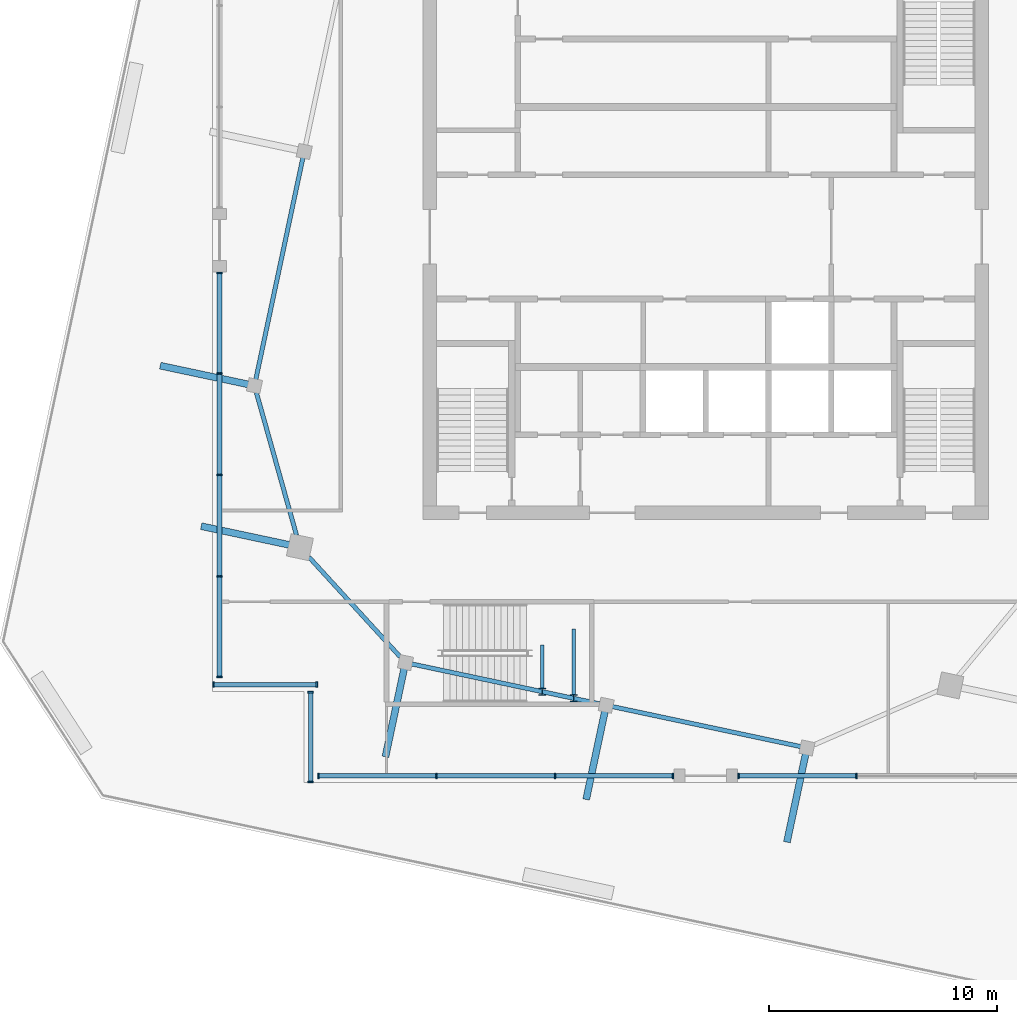
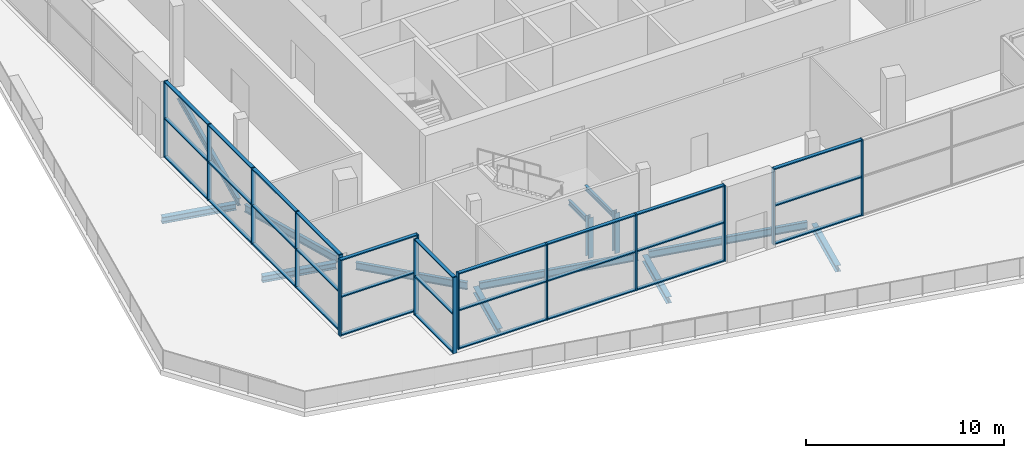
# One storey, part 2 of 14: 47 members, 12 beams, 5 elements without a shape of their own.
"""IFC4 building model written with IfcOpenShell, lengths in metres."""

import ifcopenshell
import ifcopenshell.guid

model = None  # the IFC model being written
_history = None  # IfcOwnerHistory: only IFC2X3 demands one
_inside = {}  # id of a spatial element -> (the spatial element, [elements in it])
_under = {}  # id of a project, library or spatial element -> (it, [spatial elements below it])
_declared = {}  # id of a project -> (the project, [libraries it declares])
_typed = {}  # id of a type object -> (the type object, [elements of that type])
_made_of = {}  # id of a material, layer set ... -> (it, [elements and type objects made of it])


def new_model(schema):
    """Start an empty IFC model of exactly this schema.

    Asked for "IFC4X3", IfcOpenShell would pick the latest addendum, in which some entities
    have other attributes; the version numbers below select the first issue.
    IFC2X3 requires an IfcOwnerHistory on every rooted entity: one is made here for all.
    """
    global model, _history
    if schema == "IFC4X3":
        model = ifcopenshell.file(schema_version=(4, 3, 0, 0))
    else:
        model = ifcopenshell.file(schema=schema)
    _inside.clear()
    _under.clear()
    _declared.clear()
    _typed.clear()
    _made_of.clear()
    _history = None
    if model.schema == "IFC2X3":
        org = make("IfcOrganization", Name="unknown")
        user = make(
            "IfcPersonAndOrganization",
            ThePerson=make("IfcPerson", FamilyName="unknown"),
            TheOrganization=org,
        )
        app = make(
            "IfcApplication",
            ApplicationDeveloper=org,
            Version="unknown",
            ApplicationFullName="unknown",
            ApplicationIdentifier="unknown",
        )
        _history = make(
            "IfcOwnerHistory",
            OwningUser=user,
            OwningApplication=app,
            ChangeAction="ADDED",
            CreationDate=0,
        )
    return model


def make(cls, **values):
    """One entity of the class cls with the attributes given. An attribute that is None is left unset."""
    return model.create_entity(
        cls, **{name: value for name, value in values.items() if value is not None}
    )


def rooted(cls, **values):
    """An entity with a GlobalId (a new one), such as an element, a storey or a relation."""
    return make(cls, GlobalId=ifcopenshell.guid.new(), OwnerHistory=_history, **values)


def si_unit(unit_type, name, prefix=None):
    """IfcSIUnit, for example si_unit("LENGTHUNIT", "METRE", prefix="MILLI")."""
    return make("IfcSIUnit", UnitType=unit_type, Prefix=prefix, Name=name)


def assignment(units):
    """IfcUnitAssignment: the units of a project."""
    return None if units is None else make("IfcUnitAssignment", Units=units)


def point(xyz):
    """IfcCartesianPoint."""
    return None if xyz is None else make("IfcCartesianPoint", Coordinates=xyz)


def direction(xyz):
    """IfcDirection."""
    return None if xyz is None else make("IfcDirection", DirectionRatios=xyz)


def frame(location, z_axis=None, x_axis=None):
    """IfcAxis2Placement3D, a coordinate frame: its origin and axes. An axis left out is left unset."""
    return make(
        "IfcAxis2Placement3D",
        Location=point(location),
        Axis=direction(z_axis),
        RefDirection=direction(x_axis),
    )


def frame_2d(location, x_axis=None):
    """IfcAxis2Placement2D, a coordinate frame in the plane: its origin and x axis."""
    return make(
        "IfcAxis2Placement2D", Location=point(location), RefDirection=direction(x_axis)
    )


def origin():
    """The frame at (0, 0, 0) with its axes left unset."""
    return frame((0.0, 0.0, 0.0))


def origin_2d():
    """The frame at (0, 0) in the plane with its x axis left unset."""
    return frame_2d((0.0, 0.0))


def place(relative_to, where):
    """IfcLocalPlacement: puts the frame where relative to a parent placement (None: the world)."""
    return make(
        "IfcLocalPlacement", PlacementRelTo=relative_to, RelativePlacement=where
    )


def context(
    kind, dimensions, precision=None, world=None, true_north=None, identifier=None
):
    """IfcGeometricRepresentationContext, for example the 3D "Model" context."""
    return make(
        "IfcGeometricRepresentationContext",
        ContextIdentifier=identifier,
        ContextType=kind,
        CoordinateSpaceDimension=dimensions,
        Precision=precision,
        WorldCoordinateSystem=world,
        TrueNorth=true_north,
    )


def subcontext(parent, identifier, kind, view, scale=None):
    """IfcGeometricRepresentationSubContext, for example "Body" below "Model"."""
    return make(
        "IfcGeometricRepresentationSubContext",
        ContextIdentifier=identifier,
        ContextType=kind,
        ParentContext=parent,
        TargetScale=scale,
        TargetView=view,
    )


def project(units=None, contexts=None):
    """IfcProject with its units and contexts."""
    return rooted(
        "IfcProject",
        Name="project",
        RepresentationContexts=contexts,
        UnitsInContext=assignment(units),
    )


def spatial(cls, under=None, at=None, **own):
    """A site, building, storey or space (cls), placed at a placement, below another one or the project."""
    s = rooted(cls, ObjectPlacement=at, **own)
    if under is not None:
        _under.setdefault(under.id(), (under, []))[1].append(s)
    return s


def profile(cls, at=None, kind="AREA", **sizes):
    """A parametric profile (cls). Its sizes go by their IFC names, for example OverallWidth=200.0."""
    return make(cls, ProfileType=kind, Position=at, **sizes)


def rectangle(**sizes):
    """IfcRectangleProfileDef."""
    return profile("IfcRectangleProfileDef", **sizes)


def i_section(**sizes):
    """IfcIShapeProfileDef."""
    return profile("IfcIShapeProfileDef", **sizes)


def extrude(swept, where, along, depth):
    """IfcExtrudedAreaSolid: the profile swept, set in the frame where, extruded along a direction by depth."""
    return make(
        "IfcExtrudedAreaSolid",
        SweptArea=swept,
        Position=where,
        ExtrudedDirection=direction(along),
        Depth=depth,
    )


def shape(context_of_items, identifier, shape_type, items):
    """IfcShapeRepresentation: the items that make up one representation, for example the "Body"."""
    return make(
        "IfcShapeRepresentation",
        ContextOfItems=context_of_items,
        RepresentationIdentifier=identifier,
        RepresentationType=shape_type,
        Items=items,
    )


def material(Name=None, Category=None):
    """IfcMaterial."""
    return make("IfcMaterial", Name=Name, Category=Category)


def material_profile(
    of_material, cross_section, Name=None, Category=None, Priority=None
):
    """IfcMaterialProfile: a cross section and its material."""
    return make(
        "IfcMaterialProfile",
        Name=Name,
        Material=of_material,
        Profile=cross_section,
        Priority=Priority,
        Category=Category,
    )


def profile_set(profiles, Name=None, composite=None):
    """IfcMaterialProfileSet."""
    return make(
        "IfcMaterialProfileSet",
        Name=Name,
        MaterialProfiles=profiles,
        CompositeProfile=composite,
    )


def made_of(thing, what):
    """Note that an element or type object is made of a material, layer set ...; save() writes the relation."""
    if what is not None:
        _made_of.setdefault(what.id(), (what, []))[1].append(thing)
    return thing


def type_object(cls, material=None, **own):
    """A type object (cls), such as IfcWallType, which elements share."""
    return made_of(rooted(cls, **own), material)


def element(
    cls,
    number,
    at=None,
    inside=None,
    cuts=None,
    type_object=None,
    material=None,
    context=None,
    identifier="Body",
    shape_type=None,
    held_by="IfcProductDefinitionShape",
    body=None,
    shapes=None,
    **own,
):
    """One element of the class cls, such as IfcWall. Its Tag is "e" and its number.

    at: its placement. inside: the storey or other place that contains it. cuts: it is an
    opening in that element (IfcRelVoidsElement). A single representation is given by context,
    identifier, shape_type and body (its items); several are given by shapes. held_by: the class
    of the entity that holds the representations. save() writes the other relations.
    """
    e = rooted(cls, Tag="e%d" % number, ObjectPlacement=at, **own)
    if body is not None:
        shapes = [shape(context, identifier, shape_type, body)]
    if shapes is not None:
        e.Representation = make(held_by, Representations=shapes)
    if inside is not None:
        _inside.setdefault(inside.id(), (inside, []))[1].append(e)
    if cuts is not None:
        rooted(
            "IfcRelVoidsElement", RelatingBuildingElement=cuts, RelatedOpeningElement=e
        )
    if type_object is not None:
        _typed.setdefault(type_object.id(), (type_object, []))[1].append(e)
    return made_of(e, material)


def aggregate(whole, parts):
    """IfcRelAggregates: a whole, such as a stair, and the parts it consists of."""
    return rooted("IfcRelAggregates", RelatingObject=whole, RelatedObjects=parts)


def save(model, path):
    """Write the relations noted so far, then the file.

    IfcRelAggregates (storeys below a building ...), IfcRelContainedInSpatialStructure (elements
    in a storey), IfcRelDefinesByType, IfcRelAssociatesMaterial and IfcRelDeclares: one each for
    every whole, place, type object, material and project.
    """
    for whole, parts in _under.values():
        aggregate(whole, parts)
    for where, things in _inside.values():
        rooted(
            "IfcRelContainedInSpatialStructure",
            RelatedElements=things,
            RelatingStructure=where,
        )
    for kind, things in _typed.values():
        rooted("IfcRelDefinesByType", RelatedObjects=things, RelatingType=kind)
    for what, things in _made_of.values():
        rooted("IfcRelAssociatesMaterial", RelatedObjects=things, RelatingMaterial=what)
    for by, libraries in _declared.values():
        rooted("IfcRelDeclares", RelatingContext=by, RelatedDefinitions=libraries)
    model.write(path)


model = new_model("IFC4")

# Units and contexts
model_context = context("Model", 3, precision=1e-05, world=origin(), true_north=direction((0.0, 1.0)))
body_context = subcontext(model_context, "Body", "Model", "MODEL_VIEW")
ifc_project = project(units=[si_unit("LENGTHUNIT", "METRE"), si_unit("AREAUNIT", "SQUARE_METRE"), si_unit("VOLUMEUNIT", "CUBIC_METRE"), si_unit("PLANEANGLEUNIT", "RADIAN"), si_unit("MASSUNIT", "GRAM", prefix="KILO")], contexts=[model_context])

# Site, building, storey
site_placement = place(None, origin())
site = spatial("IfcSite", under=ifc_project, at=site_placement, CompositionType="ELEMENT")
building_placement = place(site_placement, origin())
building = spatial("IfcBuilding", under=site, at=building_placement, Name="Dilmun Exchange Tower", CompositionType="ELEMENT")
storey_placement = place(building_placement, frame((0.0, 0.0, 368.10009765625)))
storey = spatial("IfcBuildingStorey", under=building, at=storey_placement, Name="Crown L86", CompositionType="ELEMENT", Elevation=368.10009765625)

# Beams
ifc_material_1 = material(Name="Steel S355", Category="steel")
ifc_material_profile_1 = material_profile(ifc_material_1, i_section(OverallWidth=0.14990234375, OverallDepth=0.300048828125, WebThickness=0.007080078125, FlangeThickness=0.0107421875, FilletRadius=0.014892578125, at=origin_2d()), Name="IPE 300")
ifc_profile_set_1 = profile_set([ifc_material_profile_1], Name="Steel S355")
beam_type_1 = type_object("IfcBeamType", Name="Crown stair landing bracket IPE 300", PredefinedType="BEAM", material=ifc_profile_set_1)
beam_1_placement = place(storey_placement, frame((-7.17138671875, -19.794921875, 2.14990234375), z_axis=(0.0, 1.0, 0.0), x_axis=(-1.0, 0.0, 0.0)))
element("IfcBeam", 1, at=beam_1_placement, inside=storey, type_object=beam_type_1, Name="Crown stair landing bracket beam", PredefinedType="BEAM", context=body_context, shape_type="SweptSolid", body=[
    extrude(i_section(OverallWidth=0.14990234375, OverallDepth=0.300048828125, WebThickness=0.007080078125, FlangeThickness=0.0107421875, FilletRadius=0.014892578125, at=origin_2d()), origin(), (0.0, 0.0, 1.0), 1.89501953125),
])
beam_2_placement = place(storey_placement, frame((-5.793701171875, -20.08740234375, 2.14990234375), z_axis=(0.0, 1.0, 0.0), x_axis=(-1.0, 0.0, 0.0)))
element("IfcBeam", 2, at=beam_2_placement, inside=storey, type_object=beam_type_1, Name="Crown stair landing bracket beam", PredefinedType="BEAM", context=body_context, shape_type="SweptSolid", body=[
    extrude(i_section(OverallWidth=0.14990234375, OverallDepth=0.300048828125, WebThickness=0.007080078125, FlangeThickness=0.0107421875, FilletRadius=0.014892578125, at=origin_2d()), origin(), (0.0, 0.0, 1.0), 2.887451171875),
])

# Members
ifc_material_profile_2 = material_profile(ifc_material_1, i_section(OverallWidth=0.300048828125, OverallDepth=0.300048828125, WebThickness=0.010986328125, FlangeThickness=0.01904296875, FilletRadius=0.027099609375, at=origin_2d()), Name="HEB 300")
ifc_profile_set_2 = profile_set([ifc_material_profile_2], Name="Steel S355")
member_type_1 = type_object("IfcMemberType", Name="Crown stair landing post HEB 300", PredefinedType="USERDEFINED", material=ifc_profile_set_2)
for number, where, z_axis, x_axis, name in (
    (3, (-7.17138671875, -19.94482421875, 0.0), (0.0, 0.0, 1.0), (1.0, 0.0, 0.0), "Crown stair landing post 1"),
    (4, (-5.793701171875, -20.237548828125, 0.0), (0.0, 0.0, 1.0), (1.0, 0.0, 0.0), "Crown stair landing post 2"),
):
    element("IfcMember", number, at=place(storey_placement, frame(where, z_axis=z_axis, x_axis=x_axis)), inside=storey, type_object=member_type_1, Name=name, ObjectType="SUPPORT POST", PredefinedType="USERDEFINED", context=body_context, shape_type="SweptSolid", body=[
        extrude(i_section(OverallWidth=0.300048828125, OverallDepth=0.300048828125, WebThickness=0.010986328125, FlangeThickness=0.01904296875, FilletRadius=0.027099609375, at=origin_2d()), origin(), (0.0, 0.0, 1.0), 2.5),
    ])

# Curtain wall, members
ifc_material_2 = material(Name="Anodised aluminium and clear glass", Category="aluminium")
curtain_wall_type = type_object("IfcCurtainWallType", Name="Observation lounge glazing", PredefinedType="NOTDEFINED", material=ifc_material_2)
curtain_wall_1_placement = place(storey_placement, origin())
curtain_wall_1 = element("IfcCurtainWall", 5, at=curtain_wall_1_placement, inside=storey, type_object=curtain_wall_type, Name="Observation lounge glazing run OL6.E", PredefinedType="NOTDEFINED")
ifc_material_3 = material(Name="Anodised aluminium", Category="aluminium")
ifc_material_profile_3 = material_profile(ifc_material_3, rectangle(XDim=0.239990234375, YDim=0.070068359375, at=origin_2d()), Name="AL 70x240")
ifc_profile_set_3 = profile_set([ifc_material_profile_3], Name="Anodised aluminium")
member_type_2 = type_object("IfcMemberType", Name="Observation lounge glazing mullion 70 x 240", PredefinedType="MULLION", material=ifc_profile_set_3)
member_1_placement = place(storey_placement, frame((-21.323486328125, -1.58203125, 0.0), z_axis=(0.0, 0.0, 1.0), x_axis=(1.0, 0.0, 0.0)))
member_1 = element("IfcMember", 6, at=member_1_placement, type_object=member_type_2, Name="OL6.E mullion 1", PredefinedType="MULLION", context=body_context, shape_type="SweptSolid", body=[
    extrude(rectangle(XDim=0.239990234375, YDim=0.070068359375, at=origin_2d()), origin(), (0.0, 0.0, 1.0), 4.699951171875),
])
member_2_placement = place(storey_placement, frame((-21.323486328125, -5.993896484375, 0.0), z_axis=(0.0, 0.0, 1.0), x_axis=(1.0, 0.0, 0.0)))
member_2 = element("IfcMember", 7, at=member_2_placement, type_object=member_type_2, Name="OL6.E mullion 2", PredefinedType="MULLION", context=body_context, shape_type="SweptSolid", body=[
    extrude(rectangle(XDim=0.239990234375, YDim=0.070068359375, at=origin_2d()), origin(), (0.0, 0.0, 1.0), 4.699951171875),
])
member_3_placement = place(storey_placement, frame((-21.323486328125, -10.440673828125, 0.0), z_axis=(0.0, 0.0, 1.0), x_axis=(1.0, 0.0, 0.0)))
member_3 = element("IfcMember", 8, at=member_3_placement, type_object=member_type_2, Name="OL6.E mullion 3", PredefinedType="MULLION", context=body_context, shape_type="SweptSolid", body=[
    extrude(rectangle(XDim=0.239990234375, YDim=0.070068359375, at=origin_2d()), origin(), (0.0, 0.0, 1.0), 4.699951171875),
])
member_4_placement = place(storey_placement, frame((-21.323486328125, -14.887451171875, 0.0), z_axis=(0.0, 0.0, 1.0), x_axis=(1.0, 0.0, 0.0)))
member_4 = element("IfcMember", 9, at=member_4_placement, type_object=member_type_2, Name="OL6.E mullion 4", PredefinedType="MULLION", context=body_context, shape_type="SweptSolid", body=[
    extrude(rectangle(XDim=0.239990234375, YDim=0.070068359375, at=origin_2d()), origin(), (0.0, 0.0, 1.0), 4.699951171875),
])
member_5_placement = place(storey_placement, frame((-21.323486328125, -19.29931640625, 0.0), z_axis=(0.0, 0.0, 1.0), x_axis=(1.0, 0.0, 0.0)))
member_5 = element("IfcMember", 10, at=member_5_placement, type_object=member_type_2, Name="OL6.E mullion 5", PredefinedType="MULLION", context=body_context, shape_type="SweptSolid", body=[
    extrude(rectangle(XDim=0.239990234375, YDim=0.070068359375, at=origin_2d()), origin(), (0.0, 0.0, 1.0), 4.699951171875),
])

curtain_wall_2_placement = place(storey_placement, origin())
curtain_wall_2 = element("IfcCurtainWall", 11, at=curtain_wall_2_placement, inside=storey, type_object=curtain_wall_type, Name="Observation lounge glazing run OL7", PredefinedType="NOTDEFINED")
member_6_placement = place(storey_placement, frame((-21.58837890625, -19.63427734375, 0.0), z_axis=(0.0, 0.0, 1.0), x_axis=(0.0, 1.0, 0.0)))
member_6 = element("IfcMember", 12, at=member_6_placement, type_object=member_type_2, Name="OL7 mullion 1", PredefinedType="MULLION", context=body_context, shape_type="SweptSolid", body=[
    extrude(rectangle(XDim=0.239990234375, YDim=0.070068359375, at=origin_2d()), origin(), (0.0, 0.0, 1.0), 4.699951171875),
])
member_7_placement = place(storey_placement, frame((-17.05859375, -19.63427734375, 0.0), z_axis=(0.0, 0.0, 1.0), x_axis=(0.0, 1.0, 0.0)))
member_7 = element("IfcMember", 13, at=member_7_placement, type_object=member_type_2, Name="OL7 mullion 2", PredefinedType="MULLION", context=body_context, shape_type="SweptSolid", body=[
    extrude(rectangle(XDim=0.239990234375, YDim=0.070068359375, at=origin_2d()), origin(), (0.0, 0.0, 1.0), 4.699951171875),
])

curtain_wall_3_placement = place(storey_placement, origin())
curtain_wall_3 = element("IfcCurtainWall", 14, at=curtain_wall_3_placement, inside=storey, type_object=curtain_wall_type, Name="Observation lounge glazing run OL8", PredefinedType="NOTDEFINED")
member_8_placement = place(storey_placement, frame((-17.323486328125, -19.96923828125, 0.0), z_axis=(0.0, 0.0, 1.0), x_axis=(1.0, 0.0, 0.0)))
member_8 = element("IfcMember", 15, at=member_8_placement, type_object=member_type_2, Name="OL8 mullion 1", PredefinedType="MULLION", context=body_context, shape_type="SweptSolid", body=[
    extrude(rectangle(XDim=0.239990234375, YDim=0.070068359375, at=origin_2d()), origin(), (0.0, 0.0, 1.0), 4.699951171875),
])
member_9_placement = place(storey_placement, frame((-17.323486328125, -23.899169921875, 0.0), z_axis=(0.0, 0.0, 1.0), x_axis=(1.0, 0.0, 0.0)))
member_9 = element("IfcMember", 16, at=member_9_placement, type_object=member_type_2, Name="OL8 mullion 2", PredefinedType="MULLION", context=body_context, shape_type="SweptSolid", body=[
    extrude(rectangle(XDim=0.239990234375, YDim=0.070068359375, at=origin_2d()), origin(), (0.0, 0.0, 1.0), 4.699951171875),
])

curtain_wall_4_placement = place(storey_placement, origin())
curtain_wall_4 = element("IfcCurtainWall", 17, at=curtain_wall_4_placement, inside=storey, type_object=curtain_wall_type, Name="Observation lounge glazing run OL9.1", PredefinedType="NOTDEFINED")
member_10_placement = place(storey_placement, frame((-16.988525390625, -23.63427734375, 0.0), z_axis=(0.0, 0.0, 1.0), x_axis=(0.0, 1.0, 0.0)))
member_10 = element("IfcMember", 18, at=member_10_placement, type_object=member_type_2, Name="OL9.1 mullion 1", PredefinedType="MULLION", context=body_context, shape_type="SweptSolid", body=[
    extrude(rectangle(XDim=0.239990234375, YDim=0.070068359375, at=origin_2d()), origin(), (0.0, 0.0, 1.0), 4.699951171875),
])
member_11_placement = place(storey_placement, frame((-11.815673828125, -23.63427734375, 0.0), z_axis=(0.0, 0.0, 1.0), x_axis=(0.0, 1.0, 0.0)))
member_11 = element("IfcMember", 19, at=member_11_placement, type_object=member_type_2, Name="OL9.1 mullion 2", PredefinedType="MULLION", context=body_context, shape_type="SweptSolid", body=[
    extrude(rectangle(XDim=0.239990234375, YDim=0.070068359375, at=origin_2d()), origin(), (0.0, 0.0, 1.0), 4.699951171875),
])
member_12_placement = place(storey_placement, frame((-6.60791015625, -23.63427734375, 0.0), z_axis=(0.0, 0.0, 1.0), x_axis=(0.0, 1.0, 0.0)))
member_12 = element("IfcMember", 20, at=member_12_placement, type_object=member_type_2, Name="OL9.1 mullion 3", PredefinedType="MULLION", context=body_context, shape_type="SweptSolid", body=[
    extrude(rectangle(XDim=0.239990234375, YDim=0.070068359375, at=origin_2d()), origin(), (0.0, 0.0, 1.0), 4.699951171875),
])
member_13_placement = place(storey_placement, frame((-1.43505859375, -23.63427734375, 0.0), z_axis=(0.0, 0.0, 1.0), x_axis=(0.0, 1.0, 0.0)))
member_13 = element("IfcMember", 21, at=member_13_placement, type_object=member_type_2, Name="OL9.1 mullion 4", PredefinedType="MULLION", context=body_context, shape_type="SweptSolid", body=[
    extrude(rectangle(XDim=0.239990234375, YDim=0.070068359375, at=origin_2d()), origin(), (0.0, 0.0, 1.0), 4.699951171875),
])

curtain_wall_5_placement = place(storey_placement, origin())
curtain_wall_5 = element("IfcCurtainWall", 22, at=curtain_wall_5_placement, inside=storey, type_object=curtain_wall_type, Name="Observation lounge glazing run OL9.E", PredefinedType="NOTDEFINED")
member_14_placement = place(storey_placement, frame((1.43505859375, -23.63427734375, 0.0), z_axis=(0.0, 0.0, 1.0), x_axis=(0.0, 1.0, 0.0)))
member_14 = element("IfcMember", 23, at=member_14_placement, type_object=member_type_2, Name="OL9.E mullion 1", PredefinedType="MULLION", context=body_context, shape_type="SweptSolid", body=[
    extrude(rectangle(XDim=0.239990234375, YDim=0.070068359375, at=origin_2d()), origin(), (0.0, 0.0, 1.0), 4.699951171875),
])
member_15_placement = place(storey_placement, frame((6.60791015625, -23.63427734375, 0.0), z_axis=(0.0, 0.0, 1.0), x_axis=(0.0, 1.0, 0.0)))
member_15 = element("IfcMember", 24, at=member_15_placement, type_object=member_type_2, Name="OL9.E mullion 2", PredefinedType="MULLION", context=body_context, shape_type="SweptSolid", body=[
    extrude(rectangle(XDim=0.239990234375, YDim=0.070068359375, at=origin_2d()), origin(), (0.0, 0.0, 1.0), 4.699951171875),
])

# Member
ifc_material_profile_4 = material_profile(ifc_material_3, rectangle(XDim=0.199951171875, YDim=0.070068359375, at=origin_2d()), Name="AL 70x200")
ifc_profile_set_4 = profile_set([ifc_material_profile_4], Name="Anodised aluminium")
member_type_3 = type_object("IfcMemberType", Name="Observation lounge glazing transom 70 x 200", PredefinedType="USERDEFINED", material=ifc_profile_set_4)
member_16_placement = place(storey_placement, frame((-21.323486328125, -1.616943359375, 0.034912109375), z_axis=(0.0, -1.0, 0.0), x_axis=(1.0, 0.0, 0.0)))
member_16 = element("IfcMember", 25, at=member_16_placement, type_object=member_type_3, Name="OL6.E transom 1.1", ObjectType="TRANSOM", PredefinedType="USERDEFINED", context=body_context, shape_type="SweptSolid", body=[
    extrude(rectangle(XDim=0.199951171875, YDim=0.070068359375, at=origin_2d()), origin(), (0.0, 0.0, 1.0), 4.341796875),
])

member_17_placement = place(storey_placement, frame((-21.323486328125, -1.616943359375, 2.39990234375), z_axis=(0.0, -1.0, 0.0), x_axis=(1.0, 0.0, 0.0)))
member_17 = element("IfcMember", 26, at=member_17_placement, type_object=member_type_3, Name="OL6.E transom 1.2", ObjectType="TRANSOM", PredefinedType="USERDEFINED", context=body_context, shape_type="SweptSolid", body=[
    extrude(rectangle(XDim=0.199951171875, YDim=0.070068359375, at=origin_2d()), origin(), (0.0, 0.0, 1.0), 4.341796875),
])

member_18_placement = place(storey_placement, frame((-21.323486328125, -1.616943359375, 4.664794921875), z_axis=(0.0, -1.0, 0.0), x_axis=(1.0, 0.0, 0.0)))
member_18 = element("IfcMember", 27, at=member_18_placement, type_object=member_type_3, Name="OL6.E transom 1.3", ObjectType="TRANSOM", PredefinedType="USERDEFINED", context=body_context, shape_type="SweptSolid", body=[
    extrude(rectangle(XDim=0.199951171875, YDim=0.070068359375, at=origin_2d()), origin(), (0.0, 0.0, 1.0), 4.341796875),
])

member_19_placement = place(storey_placement, frame((-21.323486328125, -6.02880859375, 0.034912109375), z_axis=(0.0, -1.0, 0.0), x_axis=(1.0, 0.0, 0.0)))
member_19 = element("IfcMember", 28, at=member_19_placement, type_object=member_type_3, Name="OL6.E transom 2.1", ObjectType="TRANSOM", PredefinedType="USERDEFINED", context=body_context, shape_type="SweptSolid", body=[
    extrude(rectangle(XDim=0.199951171875, YDim=0.070068359375, at=origin_2d()), origin(), (0.0, 0.0, 1.0), 4.376708984375),
])

member_20_placement = place(storey_placement, frame((-21.323486328125, -6.02880859375, 2.39990234375), z_axis=(0.0, -1.0, 0.0), x_axis=(1.0, 0.0, 0.0)))
member_20 = element("IfcMember", 29, at=member_20_placement, type_object=member_type_3, Name="OL6.E transom 2.2", ObjectType="TRANSOM", PredefinedType="USERDEFINED", context=body_context, shape_type="SweptSolid", body=[
    extrude(rectangle(XDim=0.199951171875, YDim=0.070068359375, at=origin_2d()), origin(), (0.0, 0.0, 1.0), 4.376708984375),
])

member_21_placement = place(storey_placement, frame((-21.323486328125, -6.02880859375, 4.664794921875), z_axis=(0.0, -1.0, 0.0), x_axis=(1.0, 0.0, 0.0)))
member_21 = element("IfcMember", 30, at=member_21_placement, type_object=member_type_3, Name="OL6.E transom 2.3", ObjectType="TRANSOM", PredefinedType="USERDEFINED", context=body_context, shape_type="SweptSolid", body=[
    extrude(rectangle(XDim=0.199951171875, YDim=0.070068359375, at=origin_2d()), origin(), (0.0, 0.0, 1.0), 4.376708984375),
])

member_22_placement = place(storey_placement, frame((-21.323486328125, -10.4755859375, 0.034912109375), z_axis=(0.0, -1.0, 0.0), x_axis=(1.0, 0.0, 0.0)))
member_22 = element("IfcMember", 31, at=member_22_placement, type_object=member_type_3, Name="OL6.E transom 3.1", ObjectType="TRANSOM", PredefinedType="USERDEFINED", context=body_context, shape_type="SweptSolid", body=[
    extrude(rectangle(XDim=0.199951171875, YDim=0.070068359375, at=origin_2d()), origin(), (0.0, 0.0, 1.0), 4.376708984375),
])

member_23_placement = place(storey_placement, frame((-21.323486328125, -10.4755859375, 2.39990234375), z_axis=(0.0, -1.0, 0.0), x_axis=(1.0, 0.0, 0.0)))
member_23 = element("IfcMember", 32, at=member_23_placement, type_object=member_type_3, Name="OL6.E transom 3.2", ObjectType="TRANSOM", PredefinedType="USERDEFINED", context=body_context, shape_type="SweptSolid", body=[
    extrude(rectangle(XDim=0.199951171875, YDim=0.070068359375, at=origin_2d()), origin(), (0.0, 0.0, 1.0), 4.376708984375),
])

member_24_placement = place(storey_placement, frame((-21.323486328125, -10.4755859375, 4.664794921875), z_axis=(0.0, -1.0, 0.0), x_axis=(1.0, 0.0, 0.0)))
member_24 = element("IfcMember", 33, at=member_24_placement, type_object=member_type_3, Name="OL6.E transom 3.3", ObjectType="TRANSOM", PredefinedType="USERDEFINED", context=body_context, shape_type="SweptSolid", body=[
    extrude(rectangle(XDim=0.199951171875, YDim=0.070068359375, at=origin_2d()), origin(), (0.0, 0.0, 1.0), 4.376708984375),
])

member_25_placement = place(storey_placement, frame((-21.323486328125, -14.92236328125, 0.034912109375), z_axis=(0.0, -1.0, 0.0), x_axis=(1.0, 0.0, 0.0)))
member_25 = element("IfcMember", 34, at=member_25_placement, type_object=member_type_3, Name="OL6.E transom 4.1", ObjectType="TRANSOM", PredefinedType="USERDEFINED", context=body_context, shape_type="SweptSolid", body=[
    extrude(rectangle(XDim=0.199951171875, YDim=0.070068359375, at=origin_2d()), origin(), (0.0, 0.0, 1.0), 4.341796875),
])

member_26_placement = place(storey_placement, frame((-21.323486328125, -14.92236328125, 2.39990234375), z_axis=(0.0, -1.0, 0.0), x_axis=(1.0, 0.0, 0.0)))
member_26 = element("IfcMember", 35, at=member_26_placement, type_object=member_type_3, Name="OL6.E transom 4.2", ObjectType="TRANSOM", PredefinedType="USERDEFINED", context=body_context, shape_type="SweptSolid", body=[
    extrude(rectangle(XDim=0.199951171875, YDim=0.070068359375, at=origin_2d()), origin(), (0.0, 0.0, 1.0), 4.341796875),
])

member_27_placement = place(storey_placement, frame((-21.323486328125, -14.92236328125, 4.664794921875), z_axis=(0.0, -1.0, 0.0), x_axis=(1.0, 0.0, 0.0)))
member_27 = element("IfcMember", 36, at=member_27_placement, type_object=member_type_3, Name="OL6.E transom 4.3", ObjectType="TRANSOM", PredefinedType="USERDEFINED", context=body_context, shape_type="SweptSolid", body=[
    extrude(rectangle(XDim=0.199951171875, YDim=0.070068359375, at=origin_2d()), origin(), (0.0, 0.0, 1.0), 4.341796875),
])

aggregate(curtain_wall_1, [member_1, member_2, member_3, member_4, member_5, member_16, member_17, member_18, member_19, member_20, member_21, member_22, member_23, member_24, member_25, member_26, member_27])

member_28_placement = place(storey_placement, frame((-21.553466796875, -19.63427734375, 0.034912109375), z_axis=(1.0, 0.0, 0.0), x_axis=(0.0, 1.0, 0.0)))
member_28 = element("IfcMember", 37, at=member_28_placement, type_object=member_type_3, Name="OL7 transom 1.1", ObjectType="TRANSOM", PredefinedType="USERDEFINED", context=body_context, shape_type="SweptSolid", body=[
    extrude(rectangle(XDim=0.199951171875, YDim=0.070068359375, at=origin_2d()), origin(), (0.0, 0.0, 1.0), 4.4599609375),
])

member_29_placement = place(storey_placement, frame((-21.553466796875, -19.63427734375, 2.39990234375), z_axis=(1.0, 0.0, 0.0), x_axis=(0.0, 1.0, 0.0)))
member_29 = element("IfcMember", 38, at=member_29_placement, type_object=member_type_3, Name="OL7 transom 1.2", ObjectType="TRANSOM", PredefinedType="USERDEFINED", context=body_context, shape_type="SweptSolid", body=[
    extrude(rectangle(XDim=0.199951171875, YDim=0.070068359375, at=origin_2d()), origin(), (0.0, 0.0, 1.0), 4.4599609375),
])

member_30_placement = place(storey_placement, frame((-21.553466796875, -19.63427734375, 4.664794921875), z_axis=(1.0, 0.0, 0.0), x_axis=(0.0, 1.0, 0.0)))
member_30 = element("IfcMember", 39, at=member_30_placement, type_object=member_type_3, Name="OL7 transom 1.3", ObjectType="TRANSOM", PredefinedType="USERDEFINED", context=body_context, shape_type="SweptSolid", body=[
    extrude(rectangle(XDim=0.199951171875, YDim=0.070068359375, at=origin_2d()), origin(), (0.0, 0.0, 1.0), 4.4599609375),
])

aggregate(curtain_wall_2, [member_6, member_7, member_28, member_29, member_30])

member_31_placement = place(storey_placement, frame((-17.323486328125, -20.004150390625, 0.034912109375), z_axis=(0.0, -1.0, 0.0), x_axis=(1.0, 0.0, 0.0)))
member_31 = element("IfcMember", 40, at=member_31_placement, type_object=member_type_3, Name="OL8 transom 1.1", ObjectType="TRANSOM", PredefinedType="USERDEFINED", context=body_context, shape_type="SweptSolid", body=[
    extrude(rectangle(XDim=0.199951171875, YDim=0.070068359375, at=origin_2d()), origin(), (0.0, 0.0, 1.0), 3.860107421875),
])

member_32_placement = place(storey_placement, frame((-17.323486328125, -20.004150390625, 2.39990234375), z_axis=(0.0, -1.0, 0.0), x_axis=(1.0, 0.0, 0.0)))
member_32 = element("IfcMember", 41, at=member_32_placement, type_object=member_type_3, Name="OL8 transom 1.2", ObjectType="TRANSOM", PredefinedType="USERDEFINED", context=body_context, shape_type="SweptSolid", body=[
    extrude(rectangle(XDim=0.199951171875, YDim=0.070068359375, at=origin_2d()), origin(), (0.0, 0.0, 1.0), 3.860107421875),
])

member_33_placement = place(storey_placement, frame((-17.323486328125, -20.004150390625, 4.664794921875), z_axis=(0.0, -1.0, 0.0), x_axis=(1.0, 0.0, 0.0)))
member_33 = element("IfcMember", 42, at=member_33_placement, type_object=member_type_3, Name="OL8 transom 1.3", ObjectType="TRANSOM", PredefinedType="USERDEFINED", context=body_context, shape_type="SweptSolid", body=[
    extrude(rectangle(XDim=0.199951171875, YDim=0.070068359375, at=origin_2d()), origin(), (0.0, 0.0, 1.0), 3.860107421875),
])

aggregate(curtain_wall_3, [member_8, member_9, member_31, member_32, member_33])

member_34_placement = place(storey_placement, frame((-16.95361328125, -23.63427734375, 0.034912109375), z_axis=(1.0, 0.0, 0.0), x_axis=(0.0, 1.0, 0.0)))
member_34 = element("IfcMember", 43, at=member_34_placement, type_object=member_type_3, Name="OL9.1 transom 1.1", ObjectType="TRANSOM", PredefinedType="USERDEFINED", context=body_context, shape_type="SweptSolid", body=[
    extrude(rectangle(XDim=0.199951171875, YDim=0.070068359375, at=origin_2d()), origin(), (0.0, 0.0, 1.0), 5.10302734375),
])

member_35_placement = place(storey_placement, frame((-16.95361328125, -23.63427734375, 2.39990234375), z_axis=(1.0, 0.0, 0.0), x_axis=(0.0, 1.0, 0.0)))
member_35 = element("IfcMember", 44, at=member_35_placement, type_object=member_type_3, Name="OL9.1 transom 1.2", ObjectType="TRANSOM", PredefinedType="USERDEFINED", context=body_context, shape_type="SweptSolid", body=[
    extrude(rectangle(XDim=0.199951171875, YDim=0.070068359375, at=origin_2d()), origin(), (0.0, 0.0, 1.0), 5.10302734375),
])

member_36_placement = place(storey_placement, frame((-16.95361328125, -23.63427734375, 4.664794921875), z_axis=(1.0, 0.0, 0.0), x_axis=(0.0, 1.0, 0.0)))
member_36 = element("IfcMember", 45, at=member_36_placement, type_object=member_type_3, Name="OL9.1 transom 1.3", ObjectType="TRANSOM", PredefinedType="USERDEFINED", context=body_context, shape_type="SweptSolid", body=[
    extrude(rectangle(XDim=0.199951171875, YDim=0.070068359375, at=origin_2d()), origin(), (0.0, 0.0, 1.0), 5.10302734375),
])

member_37_placement = place(storey_placement, frame((-11.78076171875, -23.63427734375, 0.034912109375), z_axis=(1.0, 0.0, 0.0), x_axis=(0.0, 1.0, 0.0)))
member_37 = element("IfcMember", 46, at=member_37_placement, type_object=member_type_3, Name="OL9.1 transom 2.1", ObjectType="TRANSOM", PredefinedType="USERDEFINED", context=body_context, shape_type="SweptSolid", body=[
    extrude(rectangle(XDim=0.199951171875, YDim=0.070068359375, at=origin_2d()), origin(), (0.0, 0.0, 1.0), 5.137939453125),
])

member_38_placement = place(storey_placement, frame((-11.78076171875, -23.63427734375, 2.39990234375), z_axis=(1.0, 0.0, 0.0), x_axis=(0.0, 1.0, 0.0)))
member_38 = element("IfcMember", 47, at=member_38_placement, type_object=member_type_3, Name="OL9.1 transom 2.2", ObjectType="TRANSOM", PredefinedType="USERDEFINED", context=body_context, shape_type="SweptSolid", body=[
    extrude(rectangle(XDim=0.199951171875, YDim=0.070068359375, at=origin_2d()), origin(), (0.0, 0.0, 1.0), 5.137939453125),
])

member_39_placement = place(storey_placement, frame((-11.78076171875, -23.63427734375, 4.664794921875), z_axis=(1.0, 0.0, 0.0), x_axis=(0.0, 1.0, 0.0)))
member_39 = element("IfcMember", 48, at=member_39_placement, type_object=member_type_3, Name="OL9.1 transom 2.3", ObjectType="TRANSOM", PredefinedType="USERDEFINED", context=body_context, shape_type="SweptSolid", body=[
    extrude(rectangle(XDim=0.199951171875, YDim=0.070068359375, at=origin_2d()), origin(), (0.0, 0.0, 1.0), 5.137939453125),
])

member_40_placement = place(storey_placement, frame((-6.57275390625, -23.63427734375, 0.034912109375), z_axis=(1.0, 0.0, 0.0), x_axis=(0.0, 1.0, 0.0)))
member_40 = element("IfcMember", 49, at=member_40_placement, type_object=member_type_3, Name="OL9.1 transom 3.1", ObjectType="TRANSOM", PredefinedType="USERDEFINED", context=body_context, shape_type="SweptSolid", body=[
    extrude(rectangle(XDim=0.199951171875, YDim=0.070068359375, at=origin_2d()), origin(), (0.0, 0.0, 1.0), 5.102783203125),
])

member_41_placement = place(storey_placement, frame((-6.57275390625, -23.63427734375, 2.39990234375), z_axis=(1.0, 0.0, 0.0), x_axis=(0.0, 1.0, 0.0)))
member_41 = element("IfcMember", 50, at=member_41_placement, type_object=member_type_3, Name="OL9.1 transom 3.2", ObjectType="TRANSOM", PredefinedType="USERDEFINED", context=body_context, shape_type="SweptSolid", body=[
    extrude(rectangle(XDim=0.199951171875, YDim=0.070068359375, at=origin_2d()), origin(), (0.0, 0.0, 1.0), 5.102783203125),
])

member_42_placement = place(storey_placement, frame((-6.57275390625, -23.63427734375, 4.664794921875), z_axis=(1.0, 0.0, 0.0), x_axis=(0.0, 1.0, 0.0)))
member_42 = element("IfcMember", 51, at=member_42_placement, type_object=member_type_3, Name="OL9.1 transom 3.3", ObjectType="TRANSOM", PredefinedType="USERDEFINED", context=body_context, shape_type="SweptSolid", body=[
    extrude(rectangle(XDim=0.199951171875, YDim=0.070068359375, at=origin_2d()), origin(), (0.0, 0.0, 1.0), 5.102783203125),
])

aggregate(curtain_wall_4, [member_10, member_11, member_12, member_13, member_34, member_35, member_36, member_37, member_38, member_39, member_40, member_41, member_42])

member_43_placement = place(storey_placement, frame((1.469970703125, -23.63427734375, 0.034912109375), z_axis=(1.0, 0.0, 0.0), x_axis=(0.0, 1.0, 0.0)))
member_43 = element("IfcMember", 52, at=member_43_placement, type_object=member_type_3, Name="OL9.E transom 1.1", ObjectType="TRANSOM", PredefinedType="USERDEFINED", context=body_context, shape_type="SweptSolid", body=[
    extrude(rectangle(XDim=0.199951171875, YDim=0.070068359375, at=origin_2d()), origin(), (0.0, 0.0, 1.0), 5.102783203125),
])

member_44_placement = place(storey_placement, frame((1.469970703125, -23.63427734375, 2.39990234375), z_axis=(1.0, 0.0, 0.0), x_axis=(0.0, 1.0, 0.0)))
member_44 = element("IfcMember", 53, at=member_44_placement, type_object=member_type_3, Name="OL9.E transom 1.2", ObjectType="TRANSOM", PredefinedType="USERDEFINED", context=body_context, shape_type="SweptSolid", body=[
    extrude(rectangle(XDim=0.199951171875, YDim=0.070068359375, at=origin_2d()), origin(), (0.0, 0.0, 1.0), 5.102783203125),
])

member_45_placement = place(storey_placement, frame((1.469970703125, -23.63427734375, 4.664794921875), z_axis=(1.0, 0.0, 0.0), x_axis=(0.0, 1.0, 0.0)))
member_45 = element("IfcMember", 54, at=member_45_placement, type_object=member_type_3, Name="OL9.E transom 1.3", ObjectType="TRANSOM", PredefinedType="USERDEFINED", context=body_context, shape_type="SweptSolid", body=[
    extrude(rectangle(XDim=0.199951171875, YDim=0.070068359375, at=origin_2d()), origin(), (0.0, 0.0, 1.0), 5.102783203125),
])

aggregate(curtain_wall_5, [member_14, member_15, member_43, member_44, member_45])

# Beams
ifc_material_profile_5 = material_profile(ifc_material_1, i_section(OverallWidth=0.300048828125, OverallDepth=0.389892578125, WebThickness=0.010986328125, FlangeThickness=0.01904296875, FilletRadius=0.027099609375, at=origin_2d()), Name="HEA 400")
ifc_profile_set_5 = profile_set([ifc_material_profile_5], Name="Steel S355")
beam_type_2 = type_object("IfcBeamType", Name="crown cantilever beam HEA 400", PredefinedType="BEAM", material=ifc_profile_set_5)
beam_3_placement = place(storey_placement, frame((-20.056884765625, -6.47119140625, -0.4951171875), z_axis=(-0.978146596989, 0.207916413008, 0.0), x_axis=(-0.207916413008, -0.978146596989, 0.0)))
element("IfcBeam", 55, at=beam_3_placement, inside=storey, type_object=beam_type_2, Name="Crown cantilever beam 4", PredefinedType="BEAM", context=body_context, shape_type="SweptSolid", body=[
    extrude(i_section(OverallWidth=0.300048828125, OverallDepth=0.389892578125, WebThickness=0.010986328125, FlangeThickness=0.01904296875, FilletRadius=0.027099609375, at=origin_2d()), origin(), (0.0, 0.0, 1.0), 3.9501953125),
])
beam_4_placement = place(storey_placement, frame((-18.2607421875, -13.5087890625, -0.4951171875), z_axis=(-0.978143924908, 0.207928983469, 0.0), x_axis=(-0.207928983469, -0.978143924908, 0.0)))
element("IfcBeam", 56, at=beam_4_placement, inside=storey, type_object=beam_type_2, Name="Crown cantilever beam 5", PredefinedType="BEAM", context=body_context, shape_type="SweptSolid", body=[
    extrude(i_section(OverallWidth=0.300048828125, OverallDepth=0.389892578125, WebThickness=0.010986328125, FlangeThickness=0.01904296875, FilletRadius=0.027099609375, at=origin_2d()), origin(), (0.0, 0.0, 1.0), 3.949951171875),
])
beam_5_placement = place(storey_placement, frame((-13.225830078125, -18.93701171875, -0.4951171875), z_axis=(-0.207916413008, -0.978146596989, 0.0), x_axis=(0.978146596989, -0.207916413008, 0.0)))
element("IfcBeam", 57, at=beam_5_placement, inside=storey, type_object=beam_type_2, Name="Crown cantilever beam 6", PredefinedType="BEAM", context=body_context, shape_type="SweptSolid", body=[
    extrude(i_section(OverallWidth=0.300048828125, OverallDepth=0.389892578125, WebThickness=0.010986328125, FlangeThickness=0.01904296875, FilletRadius=0.027099609375, at=origin_2d()), origin(), (0.0, 0.0, 1.0), 3.9501953125),
])
beam_6_placement = place(storey_placement, frame((-4.4228515625, -20.80810546875, -0.4951171875), z_axis=(-0.20786984461, -0.978156494484, 0.0), x_axis=(0.978156494484, -0.20786984461, 0.0)))
element("IfcBeam", 58, at=beam_6_placement, inside=storey, type_object=beam_type_2, Name="Crown cantilever beam 7", PredefinedType="BEAM", context=body_context, shape_type="SweptSolid", body=[
    extrude(i_section(OverallWidth=0.300048828125, OverallDepth=0.389892578125, WebThickness=0.010986328125, FlangeThickness=0.01904296875, FilletRadius=0.027099609375, at=origin_2d()), origin(), (0.0, 0.0, 1.0), 3.94970703125),
])
beam_7_placement = place(storey_placement, frame((4.380126953125, -22.678955078125, -0.4951171875), z_axis=(-0.207857277402, -0.978159165081, 0.0), x_axis=(0.978159165081, -0.207857277402, 0.0)))
element("IfcBeam", 59, at=beam_7_placement, inside=storey, type_object=beam_type_2, Name="Crown cantilever beam 8", PredefinedType="BEAM", context=body_context, shape_type="SweptSolid", body=[
    extrude(i_section(OverallWidth=0.300048828125, OverallDepth=0.389892578125, WebThickness=0.010986328125, FlangeThickness=0.01904296875, FilletRadius=0.027099609375, at=origin_2d()), origin(), (0.0, 0.0, 1.0), 3.949951171875),
])
ifc_material_profile_6 = material_profile(ifc_material_1, i_section(OverallWidth=0.18994140625, OverallDepth=0.449951171875, WebThickness=0.009521484375, FlangeThickness=0.0146484375, FilletRadius=0.02099609375, at=origin_2d()), Name="IPE 450")
ifc_profile_set_6 = profile_set([ifc_material_profile_6], Name="Steel S355")
beam_type_3 = type_object("IfcBeamType", Name="crown ring beam IPE 450", PredefinedType="BEAM", material=ifc_profile_set_6)
beam_8_placement = place(storey_placement, frame((-17.663818359375, 3.47509765625, -0.525146484375), z_axis=(-0.207898944968, -0.978150309861, 0.0), x_axis=(0.978150309861, -0.207898944968, 0.0)))
element("IfcBeam", 60, at=beam_8_placement, inside=storey, type_object=beam_type_3, Name="Crown ring beam 3", PredefinedType="BEAM", context=body_context, shape_type="SweptSolid", body=[
    extrude(i_section(OverallWidth=0.18994140625, OverallDepth=0.449951171875, WebThickness=0.009521484375, FlangeThickness=0.0146484375, FilletRadius=0.02099609375, at=origin_2d()), origin(), (0.0, 0.0, 1.0), 9.95361328125),
])
beam_9_placement = place(storey_placement, frame((-19.70556640625, -6.828125, -0.525146484375), z_axis=(0.27088688056, -0.962611187313, 0.0), x_axis=(0.962611187313, 0.27088688056, 0.0)))
element("IfcBeam", 61, at=beam_9_placement, inside=storey, type_object=beam_type_3, Name="Crown ring beam 4", PredefinedType="BEAM", context=body_context, shape_type="SweptSolid", body=[
    extrude(i_section(OverallWidth=0.18994140625, OverallDepth=0.449951171875, WebThickness=0.009521484375, FlangeThickness=0.0146484375, FilletRadius=0.02099609375, at=origin_2d()), origin(), (0.0, 0.0, 1.0), 6.50439453125),
])
beam_10_placement = place(storey_placement, frame((-17.401611328125, -14.040771484375, -0.525146484375), z_axis=(0.674784574678, -0.738014754443, 0.0), x_axis=(0.738014754443, 0.674784574678, 0.0)))
element("IfcBeam", 62, at=beam_10_placement, inside=storey, type_object=beam_type_3, Name="Crown ring beam 5", PredefinedType="BEAM", context=body_context, shape_type="SweptSolid", body=[
    extrude(i_section(OverallWidth=0.18994140625, OverallDepth=0.449951171875, WebThickness=0.009521484375, FlangeThickness=0.0146484375, FilletRadius=0.02099609375, at=origin_2d()), origin(), (0.0, 0.0, 1.0), 5.9306640625),
])
for number, where, z_axis, x_axis, name in (
    (63, (-12.902099609375, -18.726806640625, -0.525146484375), (0.978155180899, -0.207876025749, 0.0), (0.207876025749, 0.978155180899, 0.0), "Crown ring beam 6"),
    (64, (-4.09912109375, -20.597900390625, -0.525146484375), (0.978155180899, -0.207876025749, 0.0), (0.207876025749, 0.978155180899, 0.0), "Crown ring beam 7"),
):
    element("IfcBeam", number, at=place(storey_placement, frame(where, z_axis=z_axis, x_axis=x_axis)), inside=storey, type_object=beam_type_3, Name=name, PredefinedType="BEAM", context=body_context, shape_type="SweptSolid", body=[
        extrude(i_section(OverallWidth=0.18994140625, OverallDepth=0.449951171875, WebThickness=0.009521484375, FlangeThickness=0.0146484375, FilletRadius=0.02099609375, at=origin_2d()), origin(), (0.0, 0.0, 1.0), 8.45361328125),
    ])

save(model, "model.ifc")
